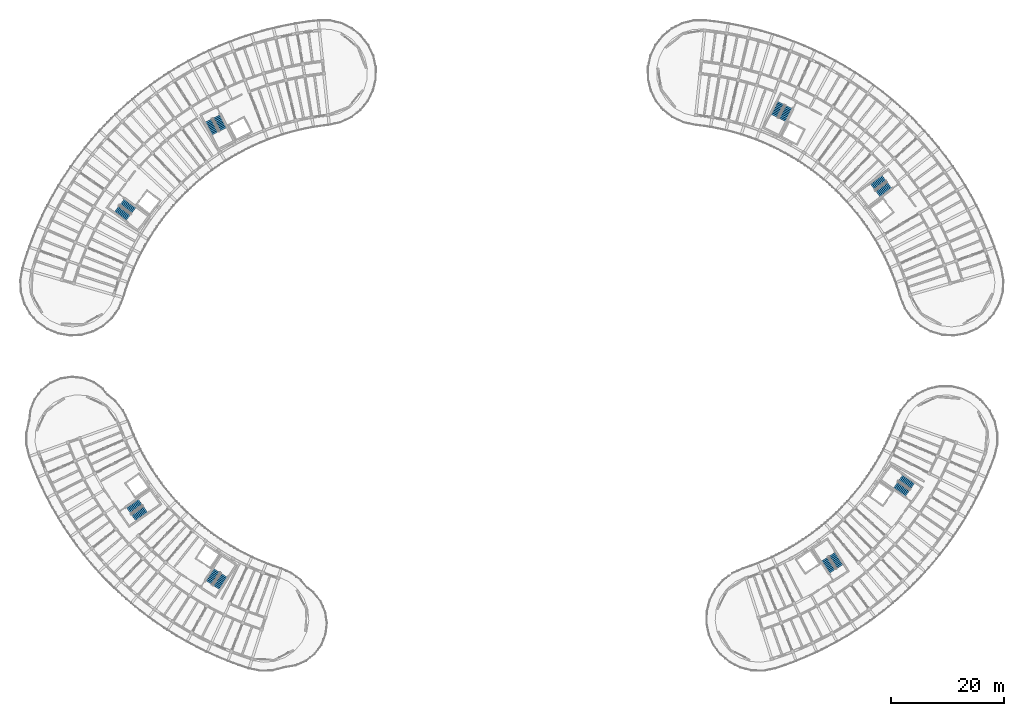
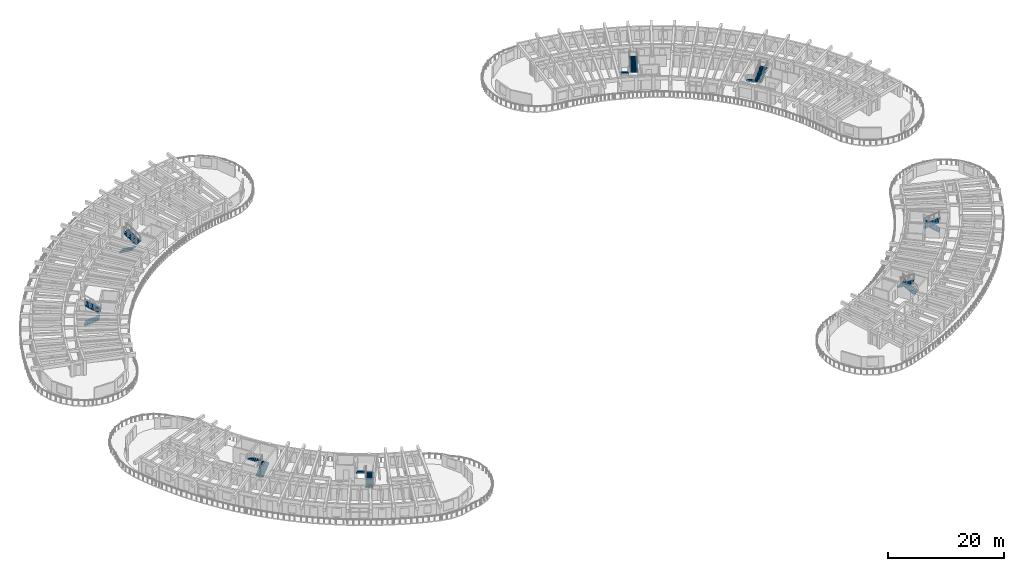
# One storey, part 56 of 78: 16 stair flights, 8 elements without a shape of their own.
"""IFC4 building model written with IfcOpenShell, lengths in metres."""

from ifc_helpers import new_model, si_unit, direction, frame, origin, place, context, subcontext, project, spatial, polyline, outline, extrude, material, layer, layer_set, type_object, element, aggregate, save


model = new_model("IFC4")

# Units and contexts
model_context = context("Model", 3, precision=1e-05, world=origin(), true_north=direction((0.0, 1.0)))
body_context = subcontext(model_context, "Body", "Model", "MODEL_VIEW")
ifc_project = project(units=[si_unit("LENGTHUNIT", "METRE"), si_unit("AREAUNIT", "SQUARE_METRE"), si_unit("VOLUMEUNIT", "CUBIC_METRE"), si_unit("PLANEANGLEUNIT", "RADIAN"), si_unit("MASSUNIT", "GRAM", prefix="KILO")], contexts=[model_context])

# Site, building, storey
site_placement = place(None, origin())
site = spatial("IfcSite", under=ifc_project, at=site_placement, CompositionType="ELEMENT")
building_placement = place(site_placement, origin())
building = spatial("IfcBuilding", under=site, at=building_placement, Name="Tanwirah Colonnade Gardens", CompositionType="ELEMENT")
storey_placement = place(building_placement, frame((0.0, 0.0, 22.280029296875)))
storey = spatial("IfcBuildingStorey", under=building, at=storey_placement, Name="L06", CompositionType="ELEMENT", Elevation=22.280029296875)

# Stair, stair flights
ifc_material = material(Name="Precast concrete C40/50", Category="concrete")
stair_type = type_object("IfcStairType", Name="ST-RES168", PredefinedType="HALF_TURN_STAIR", material=ifc_material)
stair_1_placement = place(storey_placement, origin())
stair_1 = element("IfcStair", 1, at=stair_1_placement, inside=storey, type_object=stair_type, Name="L06 Block A Core 1 Exit Stair", PredefinedType="HALF_TURN_STAIR")
ifc_layer = layer(ifc_material, 0.14990234375)
ifc_layer_set = layer_set([ifc_layer], Name="Precast concrete C40/50")
stair_flight_type = type_object("IfcStairFlightType", Name="FLT-RES150", PredefinedType="STRAIGHT", material=ifc_layer_set)
stair_flight_1_placement = place(storey_placement, frame((39.148681640625, 103.425048828125, 0.0), z_axis=(0.0, 0.0, 1.0), x_axis=(0.45399049974, -0.891006524188, 0.0)))
stair_flight_1 = element("IfcStairFlight", 2, at=stair_flight_1_placement, type_object=stair_flight_type, Name="ST-A1 flight 1", NumberOfRisers=10, NumberOfTreads=9, PredefinedType="STRAIGHT", RiserHeight=0.168, TreadLength=0.285, context=body_context, shape_type="SweptSolid", body=[
    extrude(outline(polyline([(-0.0048828125, 0.0), (0.0, 0.16796875), (0.284912109375, 0.16796875), (0.284912109375, 0.3359375), (0.570068359375, 0.3359375), (0.570068359375, 0.50390625), (0.85498046875, 0.50390625), (0.85498046875, 0.672119140625), (1.139892578125, 0.672119140625), (1.139892578125, 0.840087890625), (1.425048828125, 0.840087890625), (1.425048828125, 1.008056640625), (1.7099609375, 1.008056640625), (1.7099609375, 1.176025390625), (1.9951171875, 1.176025390625), (1.9951171875, 1.343994140625), (2.280029296875, 1.343994140625), (2.280029296875, 1.511962890625), (2.56494140625, 1.511962890625), (2.570068359375, 1.679931640625), (2.570068359375, 1.337890625), (0.30029296875, 0.0), (-0.0048828125, 0.0)])), frame((0.0, 0.68994140625, 0.0), z_axis=(0.0, -1.0, 0.0), x_axis=(1.0, 0.0, 0.0)), (0.0, 0.0, 1.0), 1.3798828125),
])
stair_flight_2_placement = place(storey_placement, frame((41.685302734375, 101.838623046875, 1.679931640625), z_axis=(0.0, 0.0, 1.0), x_axis=(-0.45399049974, 0.891006524188, 0.0)))
stair_flight_2 = element("IfcStairFlight", 3, at=stair_flight_2_placement, type_object=stair_flight_type, Name="ST-A1 flight 2", NumberOfRisers=10, NumberOfTreads=9, PredefinedType="STRAIGHT", RiserHeight=0.168, TreadLength=0.285, context=body_context, shape_type="SweptSolid", body=[
    extrude(outline(polyline([(-0.0048828125, 0.0), (0.0, 0.16796875), (0.284912109375, 0.16796875), (0.284912109375, 0.3359375), (0.570068359375, 0.3359375), (0.570068359375, 0.50390625), (0.85498046875, 0.50390625), (0.85498046875, 0.672119140625), (1.139892578125, 0.672119140625), (1.139892578125, 0.840087890625), (1.425048828125, 0.840087890625), (1.425048828125, 1.008056640625), (1.7099609375, 1.008056640625), (1.7099609375, 1.176025390625), (1.9951171875, 1.176025390625), (1.9951171875, 1.343994140625), (2.280029296875, 1.343994140625), (2.280029296875, 1.511962890625), (2.56494140625, 1.511962890625), (2.570068359375, 1.679931640625), (2.570068359375, 1.337890625), (0.30029296875, 0.0), (-0.0048828125, 0.0)])), frame((0.0, 0.68994140625, 0.0), z_axis=(0.0, -1.0, 0.0), x_axis=(1.0, 0.0, 0.0)), (0.0, 0.0, 1.0), 1.3798828125),
])
aggregate(stair_1, [stair_flight_1, stair_flight_2])

stair_2_placement = place(storey_placement, origin())
stair_2 = element("IfcStair", 4, at=stair_2_placement, inside=storey, type_object=stair_type, Name="L06 Block A Core 2 Exit Stair", PredefinedType="HALF_TURN_STAIR")
stair_flight_3_placement = place(storey_placement, frame((22.81640625, 87.7177734375, 0.0), z_axis=(0.0, 0.0, 1.0), x_axis=(0.798635510047, -0.601815023152, 0.0)))
stair_flight_3 = element("IfcStairFlight", 5, at=stair_flight_3_placement, type_object=stair_flight_type, Name="ST-A2 flight 1", NumberOfRisers=10, NumberOfTreads=9, PredefinedType="STRAIGHT", RiserHeight=0.168, TreadLength=0.285, context=body_context, shape_type="SweptSolid", body=[
    extrude(outline(polyline([(-0.0048828125, 0.0), (0.0, 0.16796875), (0.284912109375, 0.16796875), (0.284912109375, 0.3359375), (0.570068359375, 0.3359375), (0.570068359375, 0.50390625), (0.85498046875, 0.50390625), (0.85498046875, 0.672119140625), (1.139892578125, 0.672119140625), (1.139892578125, 0.840087890625), (1.425048828125, 0.840087890625), (1.425048828125, 1.008056640625), (1.7099609375, 1.008056640625), (1.7099609375, 1.176025390625), (1.9951171875, 1.176025390625), (1.9951171875, 1.343994140625), (2.280029296875, 1.343994140625), (2.280029296875, 1.511962890625), (2.56494140625, 1.511962890625), (2.570068359375, 1.679931640625), (2.570068359375, 1.337890625), (0.30029296875, 0.0), (-0.0048828125, 0.0)])), frame((0.0, 0.68994140625, 0.0), z_axis=(0.0, -1.0, 0.0), x_axis=(1.0, 0.0, 0.0)), (0.0, 0.0, 1.0), 1.3798828125),
])
stair_flight_4_placement = place(storey_placement, frame((25.791748046875, 87.404052734375, 1.679931640625), z_axis=(0.0, 0.0, 1.0), x_axis=(-0.798635510047, 0.601815023152, 0.0)))
stair_flight_4 = element("IfcStairFlight", 6, at=stair_flight_4_placement, type_object=stair_flight_type, Name="ST-A2 flight 2", NumberOfRisers=10, NumberOfTreads=9, PredefinedType="STRAIGHT", RiserHeight=0.168, TreadLength=0.285, context=body_context, shape_type="SweptSolid", body=[
    extrude(outline(polyline([(-0.0048828125, 0.0), (0.0, 0.16796875), (0.284912109375, 0.16796875), (0.284912109375, 0.3359375), (0.570068359375, 0.3359375), (0.570068359375, 0.50390625), (0.85498046875, 0.50390625), (0.85498046875, 0.672119140625), (1.139892578125, 0.672119140625), (1.139892578125, 0.840087890625), (1.425048828125, 0.840087890625), (1.425048828125, 1.008056640625), (1.7099609375, 1.008056640625), (1.7099609375, 1.176025390625), (1.9951171875, 1.176025390625), (1.9951171875, 1.343994140625), (2.280029296875, 1.343994140625), (2.280029296875, 1.511962890625), (2.56494140625, 1.511962890625), (2.570068359375, 1.679931640625), (2.570068359375, 1.337890625), (0.30029296875, 0.0), (-0.0048828125, 0.0)])), frame((0.0, 0.68994140625, 0.0), z_axis=(0.0, -1.0, 0.0), x_axis=(1.0, 0.0, 0.0)), (0.0, 0.0, 1.0), 1.3798828125),
])
aggregate(stair_2, [stair_flight_3, stair_flight_4])

stair_3_placement = place(storey_placement, origin())
stair_3 = element("IfcStair", 7, at=stair_3_placement, inside=storey, type_object=stair_type, Name="L06 Block B Core 1 Exit Stair", PredefinedType="HALF_TURN_STAIR")
stair_flight_5_placement = place(storey_placement, frame((159.079345703125, 93.16455078125, 0.0), z_axis=(0.0, 0.0, 1.0), x_axis=(-0.798635510047, -0.601815023152, 0.0)))
stair_flight_5 = element("IfcStairFlight", 8, at=stair_flight_5_placement, type_object=stair_flight_type, Name="ST-B1 flight 1", NumberOfRisers=10, NumberOfTreads=9, PredefinedType="STRAIGHT", RiserHeight=0.168, TreadLength=0.285, context=body_context, shape_type="SweptSolid", body=[
    extrude(outline(polyline([(-0.0048828125, 0.0), (0.0, 0.16796875), (0.284912109375, 0.16796875), (0.284912109375, 0.3359375), (0.570068359375, 0.3359375), (0.570068359375, 0.50390625), (0.85498046875, 0.50390625), (0.85498046875, 0.672119140625), (1.139892578125, 0.672119140625), (1.139892578125, 0.840087890625), (1.425048828125, 0.840087890625), (1.425048828125, 1.008056640625), (1.7099609375, 1.008056640625), (1.7099609375, 1.176025390625), (1.9951171875, 1.176025390625), (1.9951171875, 1.343994140625), (2.280029296875, 1.343994140625), (2.280029296875, 1.511962890625), (2.56494140625, 1.511962890625), (2.570068359375, 1.679931640625), (2.570068359375, 1.337890625), (0.30029296875, 0.0), (-0.0048828125, 0.0)])), frame((0.0, 0.68994140625, 0.0), z_axis=(0.0, -1.0, 0.0), x_axis=(1.0, 0.0, 0.0)), (0.0, 0.0, 1.0), 1.3798828125),
])
stair_flight_6_placement = place(storey_placement, frame((157.95751953125, 90.39111328125, 1.679931640625), z_axis=(0.0, 0.0, 1.0), x_axis=(0.798635510047, 0.601815023152, 0.0)))
stair_flight_6 = element("IfcStairFlight", 9, at=stair_flight_6_placement, type_object=stair_flight_type, Name="ST-B1 flight 2", NumberOfRisers=10, NumberOfTreads=9, PredefinedType="STRAIGHT", RiserHeight=0.168, TreadLength=0.285, context=body_context, shape_type="SweptSolid", body=[
    extrude(outline(polyline([(-0.0048828125, 0.0), (0.0, 0.16796875), (0.284912109375, 0.16796875), (0.284912109375, 0.3359375), (0.570068359375, 0.3359375), (0.570068359375, 0.50390625), (0.85498046875, 0.50390625), (0.85498046875, 0.672119140625), (1.139892578125, 0.672119140625), (1.139892578125, 0.840087890625), (1.425048828125, 0.840087890625), (1.425048828125, 1.008056640625), (1.7099609375, 1.008056640625), (1.7099609375, 1.176025390625), (1.9951171875, 1.176025390625), (1.9951171875, 1.343994140625), (2.280029296875, 1.343994140625), (2.280029296875, 1.511962890625), (2.56494140625, 1.511962890625), (2.570068359375, 1.679931640625), (2.570068359375, 1.337890625), (0.30029296875, 0.0), (-0.0048828125, 0.0)])), frame((0.0, 0.68994140625, 0.0), z_axis=(0.0, -1.0, 0.0), x_axis=(1.0, 0.0, 0.0)), (0.0, 0.0, 1.0), 1.3798828125),
])
aggregate(stair_3, [stair_flight_5, stair_flight_6])

stair_4_placement = place(storey_placement, origin())
stair_4 = element("IfcStair", 10, at=stair_4_placement, inside=storey, type_object=stair_type, Name="L06 Block B Core 2 Exit Stair", PredefinedType="HALF_TURN_STAIR")
stair_flight_7_placement = place(storey_placement, frame((140.774658203125, 106.521240234375, 0.0), z_axis=(0.0, 0.0, 1.0), x_axis=(-0.45399049974, -0.891006524188, 0.0)))
stair_flight_7 = element("IfcStairFlight", 11, at=stair_flight_7_placement, type_object=stair_flight_type, Name="ST-B2 flight 1", NumberOfRisers=10, NumberOfTreads=9, PredefinedType="STRAIGHT", RiserHeight=0.168, TreadLength=0.285, context=body_context, shape_type="SweptSolid", body=[
    extrude(outline(polyline([(-0.0048828125, 0.0), (0.0, 0.16796875), (0.284912109375, 0.16796875), (0.284912109375, 0.3359375), (0.570068359375, 0.3359375), (0.570068359375, 0.50390625), (0.85498046875, 0.50390625), (0.85498046875, 0.672119140625), (1.139892578125, 0.672119140625), (1.139892578125, 0.840087890625), (1.425048828125, 0.840087890625), (1.425048828125, 1.008056640625), (1.7099609375, 1.008056640625), (1.7099609375, 1.176025390625), (1.9951171875, 1.176025390625), (1.9951171875, 1.343994140625), (2.280029296875, 1.343994140625), (2.280029296875, 1.511962890625), (2.56494140625, 1.511962890625), (2.570068359375, 1.679931640625), (2.570068359375, 1.337890625), (0.30029296875, 0.0), (-0.0048828125, 0.0)])), frame((0.0, 0.68994140625, 0.0), z_axis=(0.0, -1.0, 0.0), x_axis=(1.0, 0.0, 0.0)), (0.0, 0.0, 1.0), 1.3798828125),
])
stair_flight_8_placement = place(storey_placement, frame((140.982421875, 103.53662109375, 1.679931640625), z_axis=(0.0, 0.0, 1.0), x_axis=(0.45399049974, 0.891006524188, 0.0)))
stair_flight_8 = element("IfcStairFlight", 12, at=stair_flight_8_placement, type_object=stair_flight_type, Name="ST-B2 flight 2", NumberOfRisers=10, NumberOfTreads=9, PredefinedType="STRAIGHT", RiserHeight=0.168, TreadLength=0.285, context=body_context, shape_type="SweptSolid", body=[
    extrude(outline(polyline([(-0.0048828125, 0.0), (0.0, 0.16796875), (0.284912109375, 0.16796875), (0.284912109375, 0.3359375), (0.570068359375, 0.3359375), (0.570068359375, 0.50390625), (0.85498046875, 0.50390625), (0.85498046875, 0.672119140625), (1.139892578125, 0.672119140625), (1.139892578125, 0.840087890625), (1.425048828125, 0.840087890625), (1.425048828125, 1.008056640625), (1.7099609375, 1.008056640625), (1.7099609375, 1.176025390625), (1.9951171875, 1.176025390625), (1.9951171875, 1.343994140625), (2.280029296875, 1.343994140625), (2.280029296875, 1.511962890625), (2.56494140625, 1.511962890625), (2.570068359375, 1.679931640625), (2.570068359375, 1.337890625), (0.30029296875, 0.0), (-0.0048828125, 0.0)])), frame((0.0, 0.68994140625, 0.0), z_axis=(0.0, -1.0, 0.0), x_axis=(1.0, 0.0, 0.0)), (0.0, 0.0, 1.0), 1.3798828125),
])
aggregate(stair_4, [stair_flight_7, stair_flight_8])

stair_5_placement = place(storey_placement, origin())
stair_5 = element("IfcStair", 13, at=stair_5_placement, inside=storey, type_object=stair_type, Name="L06 Block C Core 1 Exit Stair", PredefinedType="HALF_TURN_STAIR")
stair_flight_9_placement = place(storey_placement, frame((25.79345703125, 32.884521484375, 0.0), z_axis=(0.0, 0.0, 1.0), x_axis=(0.819152044289, 0.573576436351, 0.0)))
stair_flight_9 = element("IfcStairFlight", 14, at=stair_flight_9_placement, type_object=stair_flight_type, Name="ST-C1 flight 1", NumberOfRisers=10, NumberOfTreads=9, PredefinedType="STRAIGHT", RiserHeight=0.168, TreadLength=0.285, context=body_context, shape_type="SweptSolid", body=[
    extrude(outline(polyline([(-0.0048828125, 0.0), (0.0, 0.16796875), (0.284912109375, 0.16796875), (0.284912109375, 0.3359375), (0.570068359375, 0.3359375), (0.570068359375, 0.50390625), (0.85498046875, 0.50390625), (0.85498046875, 0.672119140625), (1.139892578125, 0.672119140625), (1.139892578125, 0.840087890625), (1.425048828125, 0.840087890625), (1.425048828125, 1.008056640625), (1.7099609375, 1.008056640625), (1.7099609375, 1.176025390625), (1.9951171875, 1.176025390625), (1.9951171875, 1.343994140625), (2.280029296875, 1.343994140625), (2.280029296875, 1.511962890625), (2.56494140625, 1.511962890625), (2.570068359375, 1.679931640625), (2.570068359375, 1.337890625), (0.30029296875, 0.0), (-0.0048828125, 0.0)])), frame((0.0, 0.68994140625, 0.0), z_axis=(0.0, -1.0, 0.0), x_axis=(1.0, 0.0, 0.0)), (0.0, 0.0, 1.0), 1.3798828125),
])
stair_flight_10_placement = place(storey_placement, frame((27.01123046875, 35.6171875, 1.679931640625), z_axis=(0.0, 0.0, 1.0), x_axis=(-0.819152044289, -0.573576436351, 0.0)))
stair_flight_10 = element("IfcStairFlight", 15, at=stair_flight_10_placement, type_object=stair_flight_type, Name="ST-C1 flight 2", NumberOfRisers=10, NumberOfTreads=9, PredefinedType="STRAIGHT", RiserHeight=0.168, TreadLength=0.285, context=body_context, shape_type="SweptSolid", body=[
    extrude(outline(polyline([(-0.0048828125, 0.0), (0.0, 0.16796875), (0.284912109375, 0.16796875), (0.284912109375, 0.3359375), (0.570068359375, 0.3359375), (0.570068359375, 0.50390625), (0.85498046875, 0.50390625), (0.85498046875, 0.672119140625), (1.139892578125, 0.672119140625), (1.139892578125, 0.840087890625), (1.425048828125, 0.840087890625), (1.425048828125, 1.008056640625), (1.7099609375, 1.008056640625), (1.7099609375, 1.176025390625), (1.9951171875, 1.176025390625), (1.9951171875, 1.343994140625), (2.280029296875, 1.343994140625), (2.280029296875, 1.511962890625), (2.56494140625, 1.511962890625), (2.570068359375, 1.679931640625), (2.570068359375, 1.337890625), (0.30029296875, 0.0), (-0.0048828125, 0.0)])), frame((0.0, 0.68994140625, 0.0), z_axis=(0.0, -1.0, 0.0), x_axis=(1.0, 0.0, 0.0)), (0.0, 0.0, 1.0), 1.3798828125),
])
aggregate(stair_5, [stair_flight_9, stair_flight_10])

stair_6_placement = place(storey_placement, origin())
stair_6 = element("IfcStair", 16, at=stair_6_placement, inside=storey, type_object=stair_type, Name="L06 Block C Core 2 Exit Stair", PredefinedType="HALF_TURN_STAIR")
stair_flight_11_placement = place(storey_placement, frame((40.49169921875, 20.49951171875, 0.0), z_axis=(0.0, 0.0, 1.0), x_axis=(0.544639035015, 0.838670567945, 0.0)))
stair_flight_11 = element("IfcStairFlight", 17, at=stair_flight_11_placement, type_object=stair_flight_type, Name="ST-C2 flight 1", NumberOfRisers=10, NumberOfTreads=9, PredefinedType="STRAIGHT", RiserHeight=0.168, TreadLength=0.285, context=body_context, shape_type="SweptSolid", body=[
    extrude(outline(polyline([(-0.0048828125, 0.0), (0.0, 0.16796875), (0.284912109375, 0.16796875), (0.284912109375, 0.3359375), (0.570068359375, 0.3359375), (0.570068359375, 0.50390625), (0.85498046875, 0.50390625), (0.85498046875, 0.672119140625), (1.139892578125, 0.672119140625), (1.139892578125, 0.840087890625), (1.425048828125, 0.840087890625), (1.425048828125, 1.008056640625), (1.7099609375, 1.008056640625), (1.7099609375, 1.176025390625), (1.9951171875, 1.176025390625), (1.9951171875, 1.343994140625), (2.280029296875, 1.343994140625), (2.280029296875, 1.511962890625), (2.56494140625, 1.511962890625), (2.570068359375, 1.679931640625), (2.570068359375, 1.337890625), (0.30029296875, 0.0), (-0.0048828125, 0.0)])), frame((0.0, 0.68994140625, 0.0), z_axis=(0.0, -1.0, 0.0), x_axis=(1.0, 0.0, 0.0)), (0.0, 0.0, 1.0), 1.3798828125),
])
stair_flight_12_placement = place(storey_placement, frame((40.59716796875, 23.489501953125, 1.679931640625), z_axis=(0.0, 0.0, 1.0), x_axis=(-0.544639035015, -0.838670567945, 0.0)))
stair_flight_12 = element("IfcStairFlight", 18, at=stair_flight_12_placement, type_object=stair_flight_type, Name="ST-C2 flight 2", NumberOfRisers=10, NumberOfTreads=9, PredefinedType="STRAIGHT", RiserHeight=0.168, TreadLength=0.285, context=body_context, shape_type="SweptSolid", body=[
    extrude(outline(polyline([(-0.0048828125, 0.0), (0.0, 0.16796875), (0.284912109375, 0.16796875), (0.284912109375, 0.3359375), (0.570068359375, 0.3359375), (0.570068359375, 0.50390625), (0.85498046875, 0.50390625), (0.85498046875, 0.672119140625), (1.139892578125, 0.672119140625), (1.139892578125, 0.840087890625), (1.425048828125, 0.840087890625), (1.425048828125, 1.008056640625), (1.7099609375, 1.008056640625), (1.7099609375, 1.176025390625), (1.9951171875, 1.176025390625), (1.9951171875, 1.343994140625), (2.280029296875, 1.343994140625), (2.280029296875, 1.511962890625), (2.56494140625, 1.511962890625), (2.570068359375, 1.679931640625), (2.570068359375, 1.337890625), (0.30029296875, 0.0), (-0.0048828125, 0.0)])), frame((0.0, 0.68994140625, 0.0), z_axis=(0.0, -1.0, 0.0), x_axis=(1.0, 0.0, 0.0)), (0.0, 0.0, 1.0), 1.3798828125),
])
aggregate(stair_6, [stair_flight_11, stair_flight_12])

stair_7_placement = place(storey_placement, origin())
stair_7 = element("IfcStair", 19, at=stair_7_placement, inside=storey, type_object=stair_type, Name="L06 Block D Core 1 Exit Stair", PredefinedType="HALF_TURN_STAIR")
stair_flight_13_placement = place(storey_placement, frame((151.22802734375, 24.214111328125, 0.0), z_axis=(0.0, 0.0, 1.0), x_axis=(-0.544639035015, 0.838670567945, 0.0)))
stair_flight_13 = element("IfcStairFlight", 20, at=stair_flight_13_placement, type_object=stair_flight_type, Name="ST-D1 flight 1", NumberOfRisers=10, NumberOfTreads=9, PredefinedType="STRAIGHT", RiserHeight=0.168, TreadLength=0.285, context=body_context, shape_type="SweptSolid", body=[
    extrude(outline(polyline([(-0.0048828125, 0.0), (0.0, 0.16796875), (0.284912109375, 0.16796875), (0.284912109375, 0.3359375), (0.570068359375, 0.3359375), (0.570068359375, 0.50390625), (0.85498046875, 0.50390625), (0.85498046875, 0.672119140625), (1.139892578125, 0.672119140625), (1.139892578125, 0.840087890625), (1.425048828125, 0.840087890625), (1.425048828125, 1.008056640625), (1.7099609375, 1.008056640625), (1.7099609375, 1.176025390625), (1.9951171875, 1.176025390625), (1.9951171875, 1.343994140625), (2.280029296875, 1.343994140625), (2.280029296875, 1.511962890625), (2.56494140625, 1.511962890625), (2.570068359375, 1.679931640625), (2.570068359375, 1.337890625), (0.30029296875, 0.0), (-0.0048828125, 0.0)])), frame((0.0, 0.68994140625, 0.0), z_axis=(0.0, -1.0, 0.0), x_axis=(1.0, 0.0, 0.0)), (0.0, 0.0, 1.0), 1.3798828125),
])
stair_flight_14_placement = place(storey_placement, frame((148.539306640625, 25.5263671875, 1.679931640625), z_axis=(0.0, 0.0, 1.0), x_axis=(0.544639035015, -0.838670567945, 0.0)))
stair_flight_14 = element("IfcStairFlight", 21, at=stair_flight_14_placement, type_object=stair_flight_type, Name="ST-D1 flight 2", NumberOfRisers=10, NumberOfTreads=9, PredefinedType="STRAIGHT", RiserHeight=0.168, TreadLength=0.285, context=body_context, shape_type="SweptSolid", body=[
    extrude(outline(polyline([(-0.0048828125, 0.0), (0.0, 0.16796875), (0.284912109375, 0.16796875), (0.284912109375, 0.3359375), (0.570068359375, 0.3359375), (0.570068359375, 0.50390625), (0.85498046875, 0.50390625), (0.85498046875, 0.672119140625), (1.139892578125, 0.672119140625), (1.139892578125, 0.840087890625), (1.425048828125, 0.840087890625), (1.425048828125, 1.008056640625), (1.7099609375, 1.008056640625), (1.7099609375, 1.176025390625), (1.9951171875, 1.176025390625), (1.9951171875, 1.343994140625), (2.280029296875, 1.343994140625), (2.280029296875, 1.511962890625), (2.56494140625, 1.511962890625), (2.570068359375, 1.679931640625), (2.570068359375, 1.337890625), (0.30029296875, 0.0), (-0.0048828125, 0.0)])), frame((0.0, 0.68994140625, 0.0), z_axis=(0.0, -1.0, 0.0), x_axis=(1.0, 0.0, 0.0)), (0.0, 0.0, 1.0), 1.3798828125),
])
aggregate(stair_7, [stair_flight_13, stair_flight_14])

stair_8_placement = place(storey_placement, origin())
stair_8 = element("IfcStair", 22, at=stair_8_placement, inside=storey, type_object=stair_type, Name="L06 Block D Core 2 Exit Stair", PredefinedType="HALF_TURN_STAIR")
stair_flight_15_placement = place(storey_placement, frame((164.1181640625, 38.47119140625, 0.0), z_axis=(0.0, 0.0, 1.0), x_axis=(-0.819152044289, 0.573576436351, 0.0)))
stair_flight_15 = element("IfcStairFlight", 23, at=stair_flight_15_placement, type_object=stair_flight_type, Name="ST-D2 flight 1", NumberOfRisers=10, NumberOfTreads=9, PredefinedType="STRAIGHT", RiserHeight=0.168, TreadLength=0.285, context=body_context, shape_type="SweptSolid", body=[
    extrude(outline(polyline([(-0.0048828125, 0.0), (0.0, 0.16796875), (0.284912109375, 0.16796875), (0.284912109375, 0.3359375), (0.570068359375, 0.3359375), (0.570068359375, 0.50390625), (0.85498046875, 0.50390625), (0.85498046875, 0.672119140625), (1.139892578125, 0.672119140625), (1.139892578125, 0.840087890625), (1.425048828125, 0.840087890625), (1.425048828125, 1.008056640625), (1.7099609375, 1.008056640625), (1.7099609375, 1.176025390625), (1.9951171875, 1.176025390625), (1.9951171875, 1.343994140625), (2.280029296875, 1.343994140625), (2.280029296875, 1.511962890625), (2.56494140625, 1.511962890625), (2.570068359375, 1.679931640625), (2.570068359375, 1.337890625), (0.30029296875, 0.0), (-0.0048828125, 0.0)])), frame((0.0, 0.68994140625, 0.0), z_axis=(0.0, -1.0, 0.0), x_axis=(1.0, 0.0, 0.0)), (0.0, 0.0, 1.0), 1.3798828125),
])
stair_flight_16_placement = place(storey_placement, frame((161.1337890625, 38.680908203125, 1.679931640625), z_axis=(0.0, 0.0, 1.0), x_axis=(0.819152044289, -0.573576436351, 0.0)))
stair_flight_16 = element("IfcStairFlight", 24, at=stair_flight_16_placement, type_object=stair_flight_type, Name="ST-D2 flight 2", NumberOfRisers=10, NumberOfTreads=9, PredefinedType="STRAIGHT", RiserHeight=0.168, TreadLength=0.285, context=body_context, shape_type="SweptSolid", body=[
    extrude(outline(polyline([(-0.0048828125, 0.0), (0.0, 0.16796875), (0.284912109375, 0.16796875), (0.284912109375, 0.3359375), (0.570068359375, 0.3359375), (0.570068359375, 0.50390625), (0.85498046875, 0.50390625), (0.85498046875, 0.672119140625), (1.139892578125, 0.672119140625), (1.139892578125, 0.840087890625), (1.425048828125, 0.840087890625), (1.425048828125, 1.008056640625), (1.7099609375, 1.008056640625), (1.7099609375, 1.176025390625), (1.9951171875, 1.176025390625), (1.9951171875, 1.343994140625), (2.280029296875, 1.343994140625), (2.280029296875, 1.511962890625), (2.56494140625, 1.511962890625), (2.570068359375, 1.679931640625), (2.570068359375, 1.337890625), (0.30029296875, 0.0), (-0.0048828125, 0.0)])), frame((0.0, 0.68994140625, 0.0), z_axis=(0.0, -1.0, 0.0), x_axis=(1.0, 0.0, 0.0)), (0.0, 0.0, 1.0), 1.3798828125),
])
aggregate(stair_8, [stair_flight_15, stair_flight_16])

save(model, "model.ifc")
